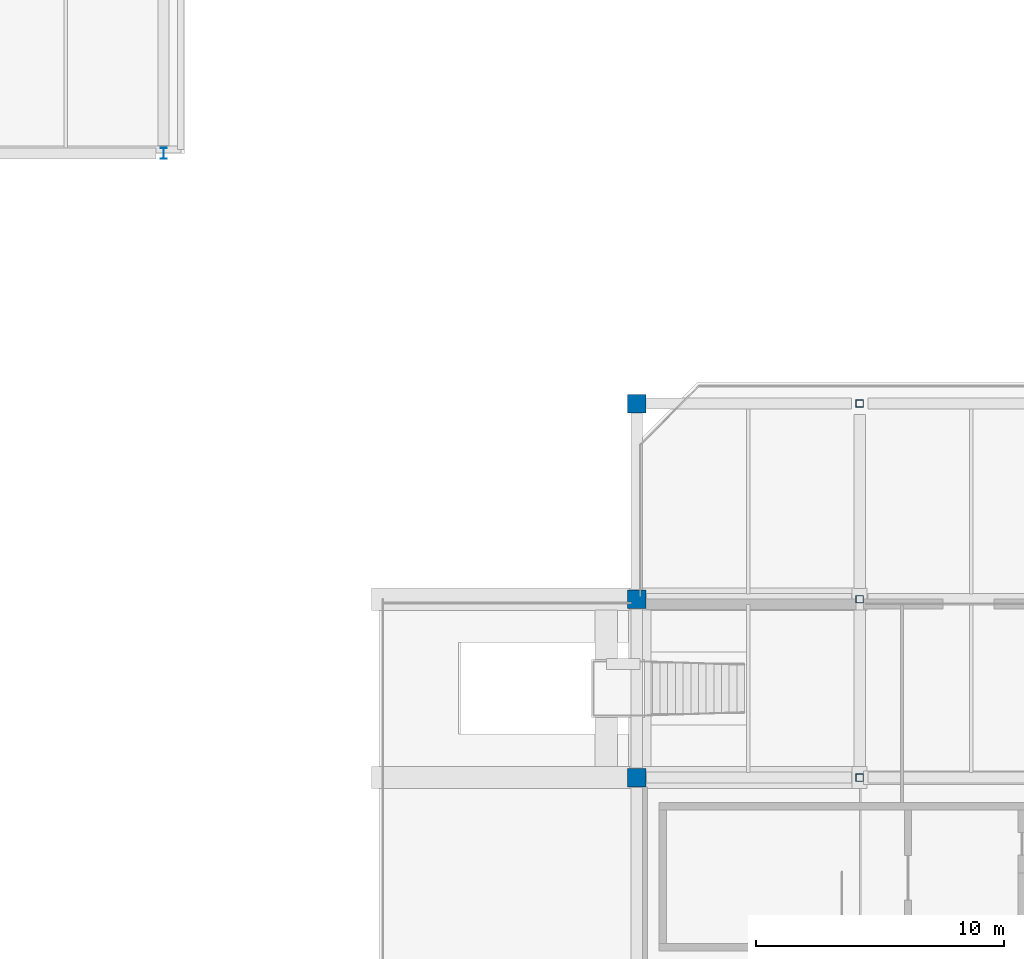
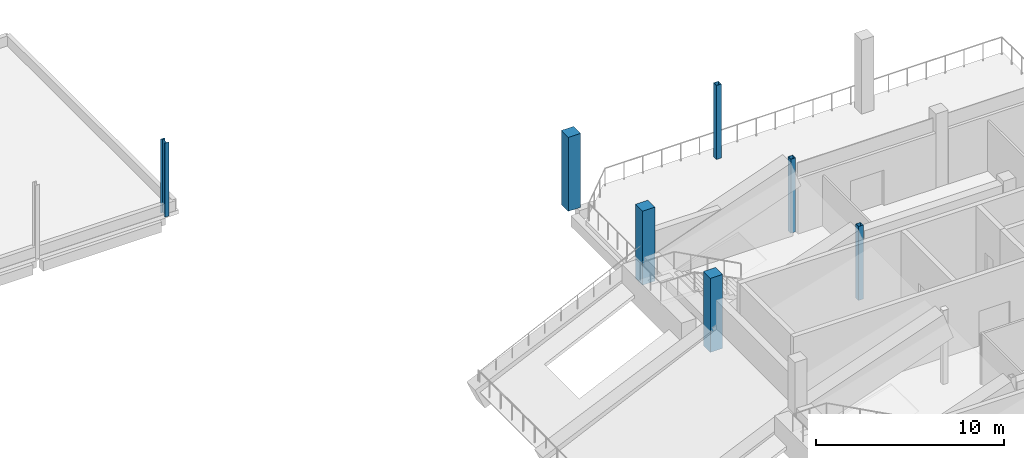
# One storey, part 13 of 66: 7 columns.
"""IFC4 building model written with IfcOpenShell, lengths in metres."""

import ifcopenshell
import ifcopenshell.guid

model = None  # the IFC model being written
_history = None  # IfcOwnerHistory: only IFC2X3 demands one
_inside = {}  # id of a spatial element -> (the spatial element, [elements in it])
_under = {}  # id of a project, library or spatial element -> (it, [spatial elements below it])
_declared = {}  # id of a project -> (the project, [libraries it declares])
_typed = {}  # id of a type object -> (the type object, [elements of that type])
_made_of = {}  # id of a material, layer set ... -> (it, [elements and type objects made of it])


def new_model(schema):
    """Start an empty IFC model of exactly this schema.

    Asked for "IFC4X3", IfcOpenShell would pick the latest addendum, in which some entities
    have other attributes; the version numbers below select the first issue.
    IFC2X3 requires an IfcOwnerHistory on every rooted entity: one is made here for all.
    """
    global model, _history
    if schema == "IFC4X3":
        model = ifcopenshell.file(schema_version=(4, 3, 0, 0))
    else:
        model = ifcopenshell.file(schema=schema)
    _inside.clear()
    _under.clear()
    _declared.clear()
    _typed.clear()
    _made_of.clear()
    _history = None
    if model.schema == "IFC2X3":
        org = make("IfcOrganization", Name="unknown")
        user = make(
            "IfcPersonAndOrganization",
            ThePerson=make("IfcPerson", FamilyName="unknown"),
            TheOrganization=org,
        )
        app = make(
            "IfcApplication",
            ApplicationDeveloper=org,
            Version="unknown",
            ApplicationFullName="unknown",
            ApplicationIdentifier="unknown",
        )
        _history = make(
            "IfcOwnerHistory",
            OwningUser=user,
            OwningApplication=app,
            ChangeAction="ADDED",
            CreationDate=0,
        )
    return model


def make(cls, **values):
    """One entity of the class cls with the attributes given. An attribute that is None is left unset."""
    return model.create_entity(
        cls, **{name: value for name, value in values.items() if value is not None}
    )


def rooted(cls, **values):
    """An entity with a GlobalId (a new one), such as an element, a storey or a relation."""
    return make(cls, GlobalId=ifcopenshell.guid.new(), OwnerHistory=_history, **values)


def si_unit(unit_type, name, prefix=None):
    """IfcSIUnit, for example si_unit("LENGTHUNIT", "METRE", prefix="MILLI")."""
    return make("IfcSIUnit", UnitType=unit_type, Prefix=prefix, Name=name)


def assignment(units):
    """IfcUnitAssignment: the units of a project."""
    return None if units is None else make("IfcUnitAssignment", Units=units)


def point(xyz):
    """IfcCartesianPoint."""
    return None if xyz is None else make("IfcCartesianPoint", Coordinates=xyz)


def direction(xyz):
    """IfcDirection."""
    return None if xyz is None else make("IfcDirection", DirectionRatios=xyz)


def frame(location, z_axis=None, x_axis=None):
    """IfcAxis2Placement3D, a coordinate frame: its origin and axes. An axis left out is left unset."""
    return make(
        "IfcAxis2Placement3D",
        Location=point(location),
        Axis=direction(z_axis),
        RefDirection=direction(x_axis),
    )


def frame_2d(location, x_axis=None):
    """IfcAxis2Placement2D, a coordinate frame in the plane: its origin and x axis."""
    return make(
        "IfcAxis2Placement2D", Location=point(location), RefDirection=direction(x_axis)
    )


def origin():
    """The frame at (0, 0, 0) with its axes left unset."""
    return frame((0.0, 0.0, 0.0))


def origin_2d():
    """The frame at (0, 0) in the plane with its x axis left unset."""
    return frame_2d((0.0, 0.0))


def place(relative_to, where):
    """IfcLocalPlacement: puts the frame where relative to a parent placement (None: the world)."""
    return make(
        "IfcLocalPlacement", PlacementRelTo=relative_to, RelativePlacement=where
    )


def context(
    kind, dimensions, precision=None, world=None, true_north=None, identifier=None
):
    """IfcGeometricRepresentationContext, for example the 3D "Model" context."""
    return make(
        "IfcGeometricRepresentationContext",
        ContextIdentifier=identifier,
        ContextType=kind,
        CoordinateSpaceDimension=dimensions,
        Precision=precision,
        WorldCoordinateSystem=world,
        TrueNorth=true_north,
    )


def subcontext(parent, identifier, kind, view, scale=None):
    """IfcGeometricRepresentationSubContext, for example "Body" below "Model"."""
    return make(
        "IfcGeometricRepresentationSubContext",
        ContextIdentifier=identifier,
        ContextType=kind,
        ParentContext=parent,
        TargetScale=scale,
        TargetView=view,
    )


def project(units=None, contexts=None):
    """IfcProject with its units and contexts."""
    return rooted(
        "IfcProject",
        Name="project",
        RepresentationContexts=contexts,
        UnitsInContext=assignment(units),
    )


def spatial(cls, under=None, at=None, **own):
    """A site, building, storey or space (cls), placed at a placement, below another one or the project."""
    s = rooted(cls, ObjectPlacement=at, **own)
    if under is not None:
        _under.setdefault(under.id(), (under, []))[1].append(s)
    return s


def profile(cls, at=None, kind="AREA", **sizes):
    """A parametric profile (cls). Its sizes go by their IFC names, for example OverallWidth=200.0."""
    return make(cls, ProfileType=kind, Position=at, **sizes)


def rectangle(**sizes):
    """IfcRectangleProfileDef."""
    return profile("IfcRectangleProfileDef", **sizes)


def hollow_rectangle(**sizes):
    """IfcRectangleHollowProfileDef."""
    return profile("IfcRectangleHollowProfileDef", **sizes)


def i_section(**sizes):
    """IfcIShapeProfileDef."""
    return profile("IfcIShapeProfileDef", **sizes)


def extrude(swept, where, along, depth):
    """IfcExtrudedAreaSolid: the profile swept, set in the frame where, extruded along a direction by depth."""
    return make(
        "IfcExtrudedAreaSolid",
        SweptArea=swept,
        Position=where,
        ExtrudedDirection=direction(along),
        Depth=depth,
    )


def shape(context_of_items, identifier, shape_type, items):
    """IfcShapeRepresentation: the items that make up one representation, for example the "Body"."""
    return make(
        "IfcShapeRepresentation",
        ContextOfItems=context_of_items,
        RepresentationIdentifier=identifier,
        RepresentationType=shape_type,
        Items=items,
    )


def material(Name=None, Category=None):
    """IfcMaterial."""
    return make("IfcMaterial", Name=Name, Category=Category)


def material_profile(
    of_material, cross_section, Name=None, Category=None, Priority=None
):
    """IfcMaterialProfile: a cross section and its material."""
    return make(
        "IfcMaterialProfile",
        Name=Name,
        Material=of_material,
        Profile=cross_section,
        Priority=Priority,
        Category=Category,
    )


def profile_set(profiles, Name=None, composite=None):
    """IfcMaterialProfileSet."""
    return make(
        "IfcMaterialProfileSet",
        Name=Name,
        MaterialProfiles=profiles,
        CompositeProfile=composite,
    )


def made_of(thing, what):
    """Note that an element or type object is made of a material, layer set ...; save() writes the relation."""
    if what is not None:
        _made_of.setdefault(what.id(), (what, []))[1].append(thing)
    return thing


def type_object(cls, material=None, **own):
    """A type object (cls), such as IfcWallType, which elements share."""
    return made_of(rooted(cls, **own), material)


def element(
    cls,
    number,
    at=None,
    inside=None,
    cuts=None,
    type_object=None,
    material=None,
    context=None,
    identifier="Body",
    shape_type=None,
    held_by="IfcProductDefinitionShape",
    body=None,
    shapes=None,
    **own,
):
    """One element of the class cls, such as IfcWall. Its Tag is "e" and its number.

    at: its placement. inside: the storey or other place that contains it. cuts: it is an
    opening in that element (IfcRelVoidsElement). A single representation is given by context,
    identifier, shape_type and body (its items); several are given by shapes. held_by: the class
    of the entity that holds the representations. save() writes the other relations.
    """
    e = rooted(cls, Tag="e%d" % number, ObjectPlacement=at, **own)
    if body is not None:
        shapes = [shape(context, identifier, shape_type, body)]
    if shapes is not None:
        e.Representation = make(held_by, Representations=shapes)
    if inside is not None:
        _inside.setdefault(inside.id(), (inside, []))[1].append(e)
    if cuts is not None:
        rooted(
            "IfcRelVoidsElement", RelatingBuildingElement=cuts, RelatedOpeningElement=e
        )
    if type_object is not None:
        _typed.setdefault(type_object.id(), (type_object, []))[1].append(e)
    return made_of(e, material)


def aggregate(whole, parts):
    """IfcRelAggregates: a whole, such as a stair, and the parts it consists of."""
    return rooted("IfcRelAggregates", RelatingObject=whole, RelatedObjects=parts)


def save(model, path):
    """Write the relations noted so far, then the file.

    IfcRelAggregates (storeys below a building ...), IfcRelContainedInSpatialStructure (elements
    in a storey), IfcRelDefinesByType, IfcRelAssociatesMaterial and IfcRelDeclares: one each for
    every whole, place, type object, material and project.
    """
    for whole, parts in _under.values():
        aggregate(whole, parts)
    for where, things in _inside.values():
        rooted(
            "IfcRelContainedInSpatialStructure",
            RelatedElements=things,
            RelatingStructure=where,
        )
    for kind, things in _typed.values():
        rooted("IfcRelDefinesByType", RelatedObjects=things, RelatingType=kind)
    for what, things in _made_of.values():
        rooted("IfcRelAssociatesMaterial", RelatedObjects=things, RelatingMaterial=what)
    for by, libraries in _declared.values():
        rooted("IfcRelDeclares", RelatingContext=by, RelatedDefinitions=libraries)
    model.write(path)


model = new_model("IFC4")

# Units and contexts
model_context = context("Model", 3, precision=1e-05, world=origin(), true_north=direction((0.0, 1.0)))
body_context = subcontext(model_context, "Body", "Model", "MODEL_VIEW")
ifc_project = project(units=[si_unit("LENGTHUNIT", "METRE"), si_unit("AREAUNIT", "SQUARE_METRE"), si_unit("VOLUMEUNIT", "CUBIC_METRE"), si_unit("PLANEANGLEUNIT", "RADIAN"), si_unit("MASSUNIT", "GRAM", prefix="KILO"), si_unit("THERMODYNAMICTEMPERATUREUNIT", "KELVIN"), si_unit("POWERUNIT", "WATT")], contexts=[model_context])

# Site, building, storey
site_placement = place(None, origin())
site = spatial("IfcSite", under=ifc_project, at=site_placement, CompositionType="ELEMENT")
building_placement = place(site_placement, origin())
building = spatial("IfcBuilding", under=site, at=building_placement, Name="Sindhuravela Promenade Stadium", CompositionType="ELEMENT")
storey_placement = place(building_placement, frame((0.0, 0.0, 19.199951171875)))
storey = spatial("IfcBuildingStorey", under=building, at=storey_placement, Name="L04", CompositionType="ELEMENT", Elevation=19.199951171875)

# Columns
ifc_material_1 = material(Name="Concrete M40", Category="concrete")
ifc_material_profile_1 = material_profile(ifc_material_1, rectangle(XDim=0.75, YDim=0.75, at=origin_2d()), Name="RC 750x750")
ifc_profile_set_1 = profile_set([ifc_material_profile_1], Name="Concrete M40")
column_type_1 = type_object("IfcColumnType", Name="RC-CL-750x750", PredefinedType="COLUMN", material=ifc_profile_set_1)
for number, where, z_axis, x_axis, name in (
    (1, (180.0, 109.800048828125, 0.0), (0.0, 0.0, 1.0), (1.0, 0.0, 0.0), "Column C12 EAST L04"),
    (2, (180.0, 117.0, 0.0), (0.0, 0.0, 1.0), (1.0, 0.0, 0.0), "Column C12 EAST L04"),
    (3, (180.0, 124.89990234375, 0.0), (0.0, 0.0, 1.0), (1.0, 0.0, 0.0), "Column C12 EAST L04"),
):
    element("IfcColumn", number, at=place(storey_placement, frame(where, z_axis=z_axis, x_axis=x_axis)), inside=storey, type_object=column_type_1, Name=name, PredefinedType="COLUMN", context=body_context, shape_type="SweptSolid", body=[
        extrude(rectangle(XDim=0.75, YDim=0.75, at=origin_2d()), origin(), (0.0, 0.0, 1.0), 4.800048828125),
    ])
ifc_material_2 = material(Name="Steel E350 (IS 2062 E350BR)", Category="steel")
ifc_material_profile_2 = material_profile(ifc_material_2, i_section(OverallWidth=0.25, OverallDepth=0.449951171875, WebThickness=0.01123046875, FlangeThickness=0.013671875, FilletRadius=0.014892578125, at=origin_2d()), Name="ISHB 450")
ifc_profile_set_2 = profile_set([ifc_material_profile_2], Name="Steel E350 (IS 2062 E350BR)")
column_type_2 = type_object("IfcColumnType", Name="ST-CL-HB450", PredefinedType="COLUMN", material=ifc_profile_set_2)
column_placement = place(storey_placement, frame((160.89990234375, 135.0, 0.0), z_axis=(0.0, 0.0, 1.0), x_axis=(1.0, 0.0, 0.0)))
element("IfcColumn", 4, at=column_placement, inside=storey, type_object=column_type_2, Name="Column SC03 NORTH L04", PredefinedType="COLUMN", context=body_context, shape_type="SweptSolid", body=[
    extrude(i_section(OverallWidth=0.25, OverallDepth=0.449951171875, WebThickness=0.01123046875, FlangeThickness=0.013671875, FilletRadius=0.014892578125, at=origin_2d()), origin(), (0.0, 0.0, 1.0), 4.800048828125),
])
ifc_material_profile_3 = material_profile(ifc_material_2, hollow_rectangle(XDim=0.300048828125, YDim=0.300048828125, WallThickness=0.011962890625, at=origin_2d()), Name="SHS 300x300x12")
ifc_profile_set_3 = profile_set([ifc_material_profile_3], Name="Steel E350 (IS 2062 E350BR)")
column_type_3 = type_object("IfcColumnType", Name="ST-CL-SHS300", PredefinedType="COLUMN", material=ifc_profile_set_3)
for number, where, z_axis, x_axis, name in (
    (5, (189.0, 109.800048828125, 0.0), (0.0, 0.0, 1.0), (1.0, 0.0, 0.0), "Column SC04 EAST L04"),
    (6, (189.0, 117.0, 0.0), (0.0, 0.0, 1.0), (1.0, 0.0, 0.0), "Column SC04 EAST L04"),
    (7, (189.0, 124.89990234375, 0.0), (0.0, 0.0, 1.0), (1.0, 0.0, 0.0), "Column SC04 EAST L04"),
):
    element("IfcColumn", number, at=place(storey_placement, frame(where, z_axis=z_axis, x_axis=x_axis)), inside=storey, type_object=column_type_3, Name=name, PredefinedType="COLUMN", context=body_context, shape_type="SweptSolid", body=[
        extrude(hollow_rectangle(XDim=0.300048828125, YDim=0.300048828125, WallThickness=0.011962890625, at=origin_2d()), origin(), (0.0, 0.0, 1.0), 4.800048828125),
    ])

save(model, "model.ifc")
